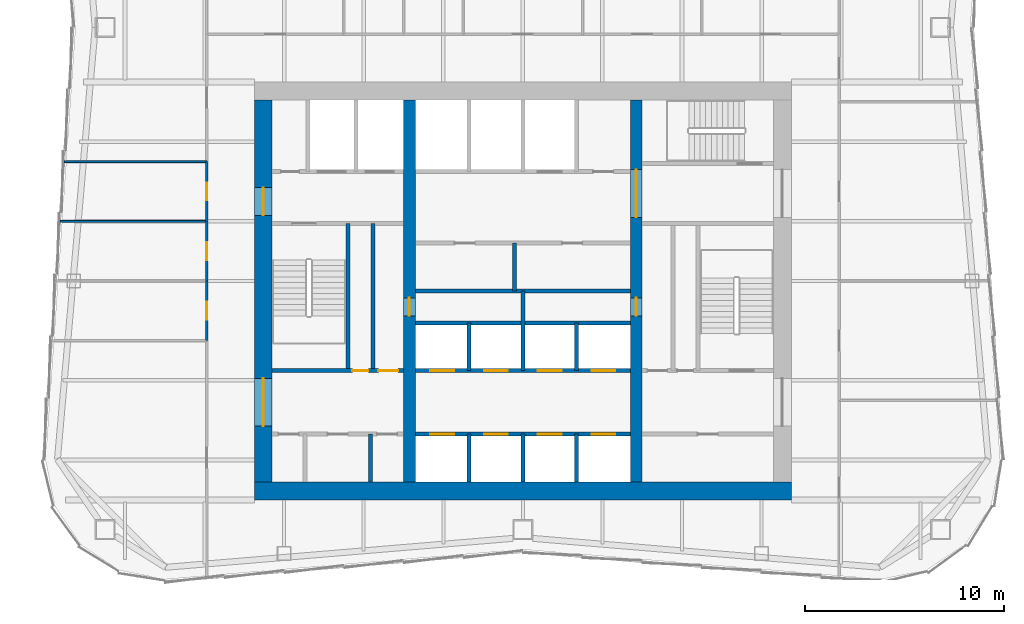
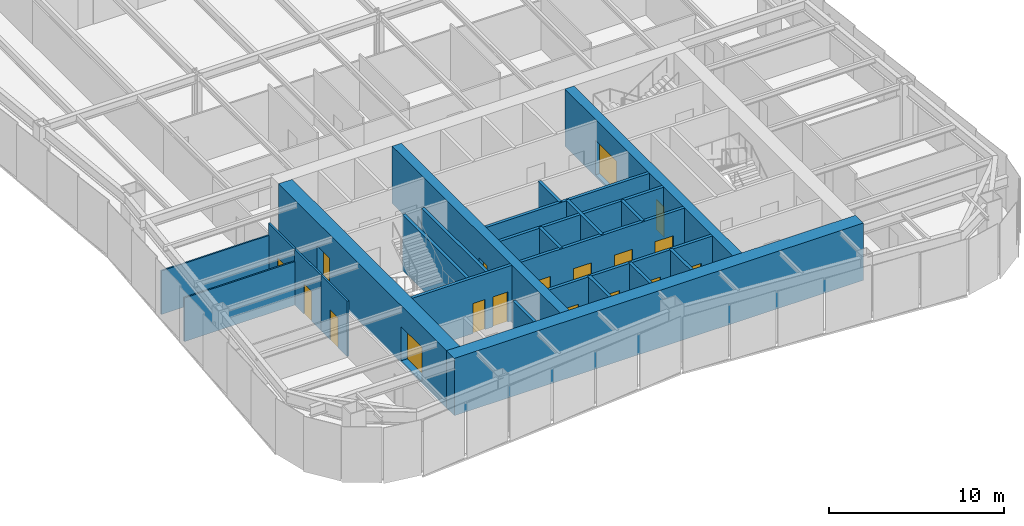
# One storey, part 5 of 10: 24 walls, 18 doors, 18 openings.
"""IFC4 building model written with IfcOpenShell, lengths in metres."""

from ifc_helpers import new_model, si_unit, direction, frame, frame_2d, origin, place, context, subcontext, project, spatial, rectangle, extrude, material, layer, layer_set, type_object, element, fill, save


model = new_model("IFC4")

# Units and contexts
model_context = context("Model", 3, precision=1e-05, world=origin(), true_north=direction((0.0, 1.0)))
body_context = subcontext(model_context, "Body", "Model", "MODEL_VIEW")
ifc_project = project(units=[si_unit("LENGTHUNIT", "METRE"), si_unit("AREAUNIT", "SQUARE_METRE"), si_unit("VOLUMEUNIT", "CUBIC_METRE"), si_unit("PLANEANGLEUNIT", "RADIAN"), si_unit("MASSUNIT", "GRAM", prefix="KILO")], contexts=[model_context])

# Site, building, storey
site_placement = place(None, origin())
site = spatial("IfcSite", under=ifc_project, at=site_placement, CompositionType="ELEMENT")
building_placement = place(site_placement, origin())
building = spatial("IfcBuilding", under=site, at=building_placement, Name="Verdant Reach Tower", CompositionType="ELEMENT")
storey_placement = place(building_placement, frame((0.0, 0.0, 202.0)))
storey = spatial("IfcBuildingStorey", under=building, at=storey_placement, Name="L46", CompositionType="ELEMENT", Elevation=202.0)

# Walls
ifc_material_1 = material(Name="Gypsum board on steel studs", Category="steel")
ifc_layer_1 = layer(ifc_material_1, 0.199951171875)
ifc_layer_set_1 = layer_set([ifc_layer_1], Name="CO-WALL-ROOM")
wall_type_1 = type_object("IfcWallType", Name="CO-WALL-ROOM", PredefinedType="PARTITIONING", material=ifc_layer_set_1)
wall_1_placement = place(storey_placement, frame((-5.39990234375, 28.0, 0.0), z_axis=(0.0, 0.0, 1.0), x_axis=(1.0, 0.0, 0.0)))
element("IfcWall", 1, at=wall_1_placement, inside=storey, type_object=wall_type_1, Name="Core partition, L46", PredefinedType="PARTITIONING", context=body_context, shape_type="SweptSolid", body=[
    extrude(rectangle(XDim=10.7998046875, YDim=0.199951171875, at=frame_2d((5.39990234375, 0.0))), origin(), (0.0, 0.0, 1.0), 3.8701171875),
])
wall_2_placement = place(storey_placement, frame((-7.64990234375, 18.39990234375, 0.0), z_axis=(0.0, 0.0, 1.0), x_axis=(0.0, 1.0, 0.0)))
element("IfcWall", 2, at=wall_2_placement, inside=storey, type_object=wall_type_1, Name="Core partition, L46", PredefinedType="PARTITIONING", context=body_context, shape_type="SweptSolid", body=[
    extrude(rectangle(XDim=2.400146484375, YDim=0.199951171875, at=frame_2d((1.2001953125, 0.0))), origin(), (0.0, 0.0, 1.0), 3.8701171875),
])
wall_3_placement = place(storey_placement, frame((-7.5400390625, 24.0, 0.0), z_axis=(0.0, 0.0, 1.0), x_axis=(0.0, 1.0, 0.0)))
element("IfcWall", 3, at=wall_3_placement, inside=storey, type_object=wall_type_1, Name="Core partition, L46", PredefinedType="PARTITIONING", context=body_context, shape_type="SweptSolid", body=[
    extrude(rectangle(XDim=7.39990234375, YDim=0.199951171875, at=frame_2d((3.699951171875, 0.0))), origin(), (0.0, 0.0, 1.0), 3.8701171875),
])
wall_4_placement = place(storey_placement, frame((-0.431884765625, 28.0, 0.0), z_axis=(0.0, 0.0, 1.0), x_axis=(0.0, 1.0, 0.0)))
element("IfcWall", 4, at=wall_4_placement, inside=storey, type_object=wall_type_1, Name="Core partition, L46", PredefinedType="PARTITIONING", context=body_context, shape_type="SweptSolid", body=[
    extrude(rectangle(XDim=2.39990234375, YDim=0.199951171875, at=frame_2d((1.199951171875, 0.0))), origin(), (0.0, 0.0, 1.0), 3.8701171875),
])

# Wall, openings, doors
ifc_material_2 = material(Name="Concrete C40/50", Category="concrete")
ifc_layer_2 = layer(ifc_material_2, 0.199951171875)
ifc_layer_set_2 = layer_set([ifc_layer_2], Name="CO-WALL-SHAFT")
wall_type_2 = type_object("IfcWallType", Name="CO-WALL-SHAFT", PredefinedType="PARTITIONING", material=ifc_layer_set_2)
wall_5_placement = place(storey_placement, frame((-5.39990234375, 20.800048828125, 0.0), z_axis=(0.0, 0.0, 1.0), x_axis=(1.0, 0.0, 0.0)))
wall_5 = element("IfcWall", 5, at=wall_5_placement, inside=storey, type_object=wall_type_2, Name="Lift shaft wall, L46", PredefinedType="PARTITIONING", context=body_context, shape_type="SweptSolid", body=[
    extrude(rectangle(XDim=10.7998046875, YDim=0.199951171875, at=frame_2d((5.39990234375, 0.0))), origin(), (0.0, 0.0, 1.0), 3.8701171875),
])
opening_1_placement = place(wall_5_placement, frame((0.75, 0.0, 0.0)))
opening_1 = element("IfcOpeningElement", 6, at=opening_1_placement, cuts=wall_5, Name="Opening LD-B1", PredefinedType="OPENING", context=body_context, shape_type="SweptSolid", body=[
    extrude(rectangle(XDim=1.199951171875, YDim=2.199951171875, at=frame_2d((0.60009765625, 1.10009765625))), frame((0.0, 0.10986328125, 0.0), z_axis=(0.0, -1.0, 0.0), x_axis=(1.0, 0.0, 0.0)), (0.0, 0.0, 1.0), 0.219970703125),
])
opening_2_placement = place(wall_5_placement, frame((3.449951171875, 0.0, 0.0)))
opening_2 = element("IfcOpeningElement", 7, at=opening_2_placement, cuts=wall_5, Name="Opening LD-B2", PredefinedType="OPENING", context=body_context, shape_type="SweptSolid", body=[
    extrude(rectangle(XDim=1.199951171875, YDim=2.199951171875, at=frame_2d((0.60009765625, 1.10009765625))), frame((0.0, 0.10986328125, 0.0), z_axis=(0.0, -1.0, 0.0), x_axis=(1.0, 0.0, 0.0)), (0.0, 0.0, 1.0), 0.219970703125),
])
opening_3_placement = place(wall_5_placement, frame((6.14990234375, 0.0, 0.0)))
opening_3 = element("IfcOpeningElement", 8, at=opening_3_placement, cuts=wall_5, Name="Opening LD-B3", PredefinedType="OPENING", context=body_context, shape_type="SweptSolid", body=[
    extrude(rectangle(XDim=1.199951171875, YDim=2.199951171875, at=frame_2d((0.60009765625, 1.10009765625))), frame((0.0, 0.10986328125, 0.0), z_axis=(0.0, -1.0, 0.0), x_axis=(1.0, 0.0, 0.0)), (0.0, 0.0, 1.0), 0.219970703125),
])
opening_4_placement = place(wall_5_placement, frame((8.85009765625, 0.0, 0.0)))
opening_4 = element("IfcOpeningElement", 9, at=opening_4_placement, cuts=wall_5, Name="Opening LD-B4", PredefinedType="OPENING", context=body_context, shape_type="SweptSolid", body=[
    extrude(rectangle(XDim=1.199951171875, YDim=2.199951171875, at=frame_2d((0.60009765625, 1.10009765625))), frame((0.0, 0.10986328125, 0.0), z_axis=(0.0, -1.0, 0.0), x_axis=(1.0, 0.0, 0.0)), (0.0, 0.0, 1.0), 0.219970703125),
])
ifc_material_3 = material(Name="Stainless steel", Category="steel")
door_type_1 = type_object("IfcDoorType", Name="CO-DOOR-LANDING", OperationType="SLIDING_TO_LEFT", PredefinedType="DOOR", material=ifc_material_3)
door_1_placement = place(opening_1_placement, origin())
door_1 = element("IfcDoor", 10, at=door_1_placement, inside=storey, type_object=door_type_1, Name="Landing door B1, L46", OperationType="SLIDING_TO_LEFT", OverallHeight=2.199951171875, OverallWidth=1.199951171875, PredefinedType="DOOR", context=body_context, shape_type="SweptSolid", body=[
    extrude(rectangle(XDim=1.199951171875, YDim=2.199951171875, at=frame_2d((0.60009765625, 1.10009765625))), frame((0.0, 0.02490234375, 0.0), z_axis=(0.0, -1.0, 0.0), x_axis=(1.0, 0.0, 0.0)), (0.0, 0.0, 1.0), 0.050048828125),
])
fill(opening_1, door_1)
door_2_placement = place(opening_2_placement, origin())
door_2 = element("IfcDoor", 11, at=door_2_placement, inside=storey, type_object=door_type_1, Name="Landing door B2, L46", OperationType="SLIDING_TO_LEFT", OverallHeight=2.199951171875, OverallWidth=1.199951171875, PredefinedType="DOOR", context=body_context, shape_type="SweptSolid", body=[
    extrude(rectangle(XDim=1.199951171875, YDim=2.199951171875, at=frame_2d((0.60009765625, 1.10009765625))), frame((0.0, 0.02490234375, 0.0), z_axis=(0.0, -1.0, 0.0), x_axis=(1.0, 0.0, 0.0)), (0.0, 0.0, 1.0), 0.050048828125),
])
fill(opening_2, door_2)
door_3_placement = place(opening_3_placement, origin())
door_3 = element("IfcDoor", 12, at=door_3_placement, inside=storey, type_object=door_type_1, Name="Landing door B3, L46", OperationType="SLIDING_TO_LEFT", OverallHeight=2.199951171875, OverallWidth=1.199951171875, PredefinedType="DOOR", context=body_context, shape_type="SweptSolid", body=[
    extrude(rectangle(XDim=1.199951171875, YDim=2.199951171875, at=frame_2d((0.60009765625, 1.10009765625))), frame((0.0, 0.02490234375, 0.0), z_axis=(0.0, -1.0, 0.0), x_axis=(1.0, 0.0, 0.0)), (0.0, 0.0, 1.0), 0.050048828125),
])
fill(opening_3, door_3)
door_4_placement = place(opening_4_placement, origin())
door_4 = element("IfcDoor", 13, at=door_4_placement, inside=storey, type_object=door_type_1, Name="Landing door B4, L46", OperationType="SLIDING_TO_LEFT", OverallHeight=2.199951171875, OverallWidth=1.199951171875, PredefinedType="DOOR", context=body_context, shape_type="SweptSolid", body=[
    extrude(rectangle(XDim=1.199951171875, YDim=2.199951171875, at=frame_2d((0.60009765625, 1.10009765625))), frame((0.0, 0.02490234375, 0.0), z_axis=(0.0, -1.0, 0.0), x_axis=(1.0, 0.0, 0.0)), (0.0, 0.0, 1.0), 0.050048828125),
])
fill(opening_4, door_4)

wall_6_placement = place(storey_placement, frame((-5.39990234375, 24.0, 0.0), z_axis=(0.0, 0.0, 1.0), x_axis=(1.0, 0.0, 0.0)))
wall_6 = element("IfcWall", 14, at=wall_6_placement, inside=storey, type_object=wall_type_2, Name="Lift shaft wall, L46", PredefinedType="PARTITIONING", context=body_context, shape_type="SweptSolid", body=[
    extrude(rectangle(XDim=10.7998046875, YDim=0.199951171875, at=frame_2d((5.39990234375, 0.0))), origin(), (0.0, 0.0, 1.0), 3.8701171875),
])
opening_5_placement = place(wall_6_placement, frame((0.75, 0.0, 0.0)))
opening_5 = element("IfcOpeningElement", 15, at=opening_5_placement, cuts=wall_6, Name="Opening LD-A5", PredefinedType="OPENING", context=body_context, shape_type="SweptSolid", body=[
    extrude(rectangle(XDim=1.199951171875, YDim=2.199951171875, at=frame_2d((0.60009765625, 1.10009765625))), frame((0.0, 0.10986328125, 0.0), z_axis=(0.0, -1.0, 0.0), x_axis=(1.0, 0.0, 0.0)), (0.0, 0.0, 1.0), 0.219970703125),
])
opening_6_placement = place(wall_6_placement, frame((3.449951171875, 0.0, 0.0)))
opening_6 = element("IfcOpeningElement", 16, at=opening_6_placement, cuts=wall_6, Name="Opening LD-A6", PredefinedType="OPENING", context=body_context, shape_type="SweptSolid", body=[
    extrude(rectangle(XDim=1.199951171875, YDim=2.199951171875, at=frame_2d((0.60009765625, 1.10009765625))), frame((0.0, 0.10986328125, 0.0), z_axis=(0.0, -1.0, 0.0), x_axis=(1.0, 0.0, 0.0)), (0.0, 0.0, 1.0), 0.219970703125),
])
opening_7_placement = place(wall_6_placement, frame((6.14990234375, 0.0, 0.0)))
opening_7 = element("IfcOpeningElement", 17, at=opening_7_placement, cuts=wall_6, Name="Opening LD-A7", PredefinedType="OPENING", context=body_context, shape_type="SweptSolid", body=[
    extrude(rectangle(XDim=1.199951171875, YDim=2.199951171875, at=frame_2d((0.60009765625, 1.10009765625))), frame((0.0, 0.10986328125, 0.0), z_axis=(0.0, -1.0, 0.0), x_axis=(1.0, 0.0, 0.0)), (0.0, 0.0, 1.0), 0.219970703125),
])
opening_8_placement = place(wall_6_placement, frame((8.85009765625, 0.0, 0.0)))
opening_8 = element("IfcOpeningElement", 18, at=opening_8_placement, cuts=wall_6, Name="Opening LD-A8", PredefinedType="OPENING", context=body_context, shape_type="SweptSolid", body=[
    extrude(rectangle(XDim=1.199951171875, YDim=2.199951171875, at=frame_2d((0.60009765625, 1.10009765625))), frame((0.0, 0.10986328125, 0.0), z_axis=(0.0, -1.0, 0.0), x_axis=(1.0, 0.0, 0.0)), (0.0, 0.0, 1.0), 0.219970703125),
])
door_5_placement = place(opening_5_placement, origin())
door_5 = element("IfcDoor", 19, at=door_5_placement, inside=storey, type_object=door_type_1, Name="Landing door A5, L46", OperationType="SLIDING_TO_LEFT", OverallHeight=2.199951171875, OverallWidth=1.199951171875, PredefinedType="DOOR", context=body_context, shape_type="SweptSolid", body=[
    extrude(rectangle(XDim=1.199951171875, YDim=2.199951171875, at=frame_2d((0.60009765625, 1.10009765625))), frame((0.0, 0.02490234375, 0.0), z_axis=(0.0, -1.0, 0.0), x_axis=(1.0, 0.0, 0.0)), (0.0, 0.0, 1.0), 0.050048828125),
])
fill(opening_5, door_5)
door_6_placement = place(opening_6_placement, origin())
door_6 = element("IfcDoor", 20, at=door_6_placement, inside=storey, type_object=door_type_1, Name="Landing door A6, L46", OperationType="SLIDING_TO_LEFT", OverallHeight=2.199951171875, OverallWidth=1.199951171875, PredefinedType="DOOR", context=body_context, shape_type="SweptSolid", body=[
    extrude(rectangle(XDim=1.199951171875, YDim=2.199951171875, at=frame_2d((0.60009765625, 1.10009765625))), frame((0.0, 0.02490234375, 0.0), z_axis=(0.0, -1.0, 0.0), x_axis=(1.0, 0.0, 0.0)), (0.0, 0.0, 1.0), 0.050048828125),
])
fill(opening_6, door_6)
door_7_placement = place(opening_7_placement, origin())
door_7 = element("IfcDoor", 21, at=door_7_placement, inside=storey, type_object=door_type_1, Name="Landing door A7, L46", OperationType="SLIDING_TO_LEFT", OverallHeight=2.199951171875, OverallWidth=1.199951171875, PredefinedType="DOOR", context=body_context, shape_type="SweptSolid", body=[
    extrude(rectangle(XDim=1.199951171875, YDim=2.199951171875, at=frame_2d((0.60009765625, 1.10009765625))), frame((0.0, 0.02490234375, 0.0), z_axis=(0.0, -1.0, 0.0), x_axis=(1.0, 0.0, 0.0)), (0.0, 0.0, 1.0), 0.050048828125),
])
fill(opening_7, door_7)
door_8_placement = place(opening_8_placement, origin())
door_8 = element("IfcDoor", 22, at=door_8_placement, inside=storey, type_object=door_type_1, Name="Landing door A8, L46", OperationType="SLIDING_TO_LEFT", OverallHeight=2.199951171875, OverallWidth=1.199951171875, PredefinedType="DOOR", context=body_context, shape_type="SweptSolid", body=[
    extrude(rectangle(XDim=1.199951171875, YDim=2.199951171875, at=frame_2d((0.60009765625, 1.10009765625))), frame((0.0, 0.02490234375, 0.0), z_axis=(0.0, -1.0, 0.0), x_axis=(1.0, 0.0, 0.0)), (0.0, 0.0, 1.0), 0.050048828125),
])
fill(opening_8, door_8)

# Walls
wall_7_placement = place(storey_placement, frame((-5.39990234375, 26.39990234375, 0.0), z_axis=(0.0, 0.0, 1.0), x_axis=(1.0, 0.0, 0.0)))
element("IfcWall", 23, at=wall_7_placement, inside=storey, type_object=wall_type_2, Name="Lift shaft wall, L46", PredefinedType="PARTITIONING", context=body_context, shape_type="SweptSolid", body=[
    extrude(rectangle(XDim=10.7998046875, YDim=0.199951171875, at=frame_2d((5.39990234375, 0.0))), origin(), (0.0, 0.0, 1.0), 3.8701171875),
])
wall_8_placement = place(storey_placement, frame((-2.699951171875, 18.39990234375, 0.0), z_axis=(0.0, 0.0, 1.0), x_axis=(0.0, 1.0, 0.0)))
element("IfcWall", 24, at=wall_8_placement, inside=storey, type_object=wall_type_2, Name="Lift shaft wall, L46", PredefinedType="PARTITIONING", context=body_context, shape_type="SweptSolid", body=[
    extrude(rectangle(XDim=2.400146484375, YDim=0.199951171875, at=frame_2d((1.2001953125, 0.0))), origin(), (0.0, 0.0, 1.0), 3.8701171875),
])
wall_9_placement = place(storey_placement, frame((-2.699951171875, 24.0, 0.0), z_axis=(0.0, 0.0, 1.0), x_axis=(0.0, 1.0, 0.0)))
element("IfcWall", 25, at=wall_9_placement, inside=storey, type_object=wall_type_2, Name="Lift shaft wall, L46", PredefinedType="PARTITIONING", context=body_context, shape_type="SweptSolid", body=[
    extrude(rectangle(XDim=2.39990234375, YDim=0.199951171875, at=frame_2d((1.199951171875, 0.0))), origin(), (0.0, 0.0, 1.0), 3.8701171875),
])
wall_10_placement = place(storey_placement, frame((0.0, 18.39990234375, 0.0), z_axis=(0.0, 0.0, 1.0), x_axis=(0.0, 1.0, 0.0)))
element("IfcWall", 26, at=wall_10_placement, inside=storey, type_object=wall_type_2, Name="Lift shaft wall, L46", PredefinedType="PARTITIONING", context=body_context, shape_type="SweptSolid", body=[
    extrude(rectangle(XDim=2.400146484375, YDim=0.199951171875, at=frame_2d((1.2001953125, 0.0))), origin(), (0.0, 0.0, 1.0), 3.8701171875),
])
wall_11_placement = place(storey_placement, frame((0.0, 24.0, 0.0), z_axis=(0.0, 0.0, 1.0), x_axis=(0.0, 1.0, 0.0)))
element("IfcWall", 27, at=wall_11_placement, inside=storey, type_object=wall_type_2, Name="Lift shaft wall, L46", PredefinedType="PARTITIONING", context=body_context, shape_type="SweptSolid", body=[
    extrude(rectangle(XDim=4.0, YDim=0.199951171875, at=frame_2d((2.0, 0.0))), origin(), (0.0, 0.0, 1.0), 3.8701171875),
])
wall_12_placement = place(storey_placement, frame((2.699951171875, 18.39990234375, 0.0), z_axis=(0.0, 0.0, 1.0), x_axis=(0.0, 1.0, 0.0)))
element("IfcWall", 28, at=wall_12_placement, inside=storey, type_object=wall_type_2, Name="Lift shaft wall, L46", PredefinedType="PARTITIONING", context=body_context, shape_type="SweptSolid", body=[
    extrude(rectangle(XDim=2.400146484375, YDim=0.199951171875, at=frame_2d((1.2001953125, 0.0))), origin(), (0.0, 0.0, 1.0), 3.8701171875),
])
wall_13_placement = place(storey_placement, frame((2.699951171875, 24.0, 0.0), z_axis=(0.0, 0.0, 1.0), x_axis=(0.0, 1.0, 0.0)))
element("IfcWall", 29, at=wall_13_placement, inside=storey, type_object=wall_type_2, Name="Lift shaft wall, L46", PredefinedType="PARTITIONING", context=body_context, shape_type="SweptSolid", body=[
    extrude(rectangle(XDim=2.39990234375, YDim=0.199951171875, at=frame_2d((1.199951171875, 0.0))), origin(), (0.0, 0.0, 1.0), 3.8701171875),
])

# Wall, openings, doors
ifc_layer_3 = layer(ifc_material_2, 0.199951171875)
ifc_layer_set_3 = layer_set([ifc_layer_3], Name="CO-WALL-STAIR")
wall_type_3 = type_object("IfcWallType", Name="CO-WALL-STAIR", PredefinedType="PARTITIONING", material=ifc_layer_set_3)
wall_14_placement = place(storey_placement, frame((-12.60009765625, 24.0, 0.0), z_axis=(0.0, 0.0, 1.0), x_axis=(1.0, 0.0, 0.0)))
wall_14 = element("IfcWall", 30, at=wall_14_placement, inside=storey, type_object=wall_type_3, Name="Stair enclosure wall, L46", PredefinedType="PARTITIONING", context=body_context, shape_type="SweptSolid", body=[
    extrude(rectangle(XDim=6.60009765625, YDim=0.199951171875, at=frame_2d((3.300048828125, 0.0))), origin(), (0.0, 0.0, 1.0), 3.8701171875),
])
opening_9_placement = place(wall_14_placement, frame((4.030029296875, 0.0, 0.0)))
opening_9 = element("IfcOpeningElement", 31, at=opening_9_placement, cuts=wall_14, Name="Opening CDN", PredefinedType="OPENING", context=body_context, shape_type="SweptSolid", body=[
    extrude(rectangle(XDim=0.800048828125, YDim=2.10009765625, at=frame_2d((0.39990234375, 1.050048828125))), frame((0.0, 0.10986328125, 0.0), z_axis=(0.0, -1.0, 0.0), x_axis=(1.0, 0.0, 0.0)), (0.0, 0.0, 1.0), 0.219970703125),
])
opening_10_placement = place(wall_14_placement, frame((5.330078125, 0.0, 0.0)))
opening_10 = element("IfcOpeningElement", 32, at=opening_10_placement, cuts=wall_14, Name="Opening CD", PredefinedType="OPENING", context=body_context, shape_type="SweptSolid", body=[
    extrude(rectangle(XDim=1.0, YDim=2.10009765625, at=frame_2d((0.5, 1.050048828125))), frame((0.0, 0.10986328125, 0.0), z_axis=(0.0, -1.0, 0.0), x_axis=(1.0, 0.0, 0.0)), (0.0, 0.0, 1.0), 0.219970703125),
])
ifc_material_4 = material(Name="Timber", Category="wood")
door_type_2 = type_object("IfcDoorType", Name="CO-DOOR-ROOM", OperationType="NOTDEFINED", PredefinedType="DOOR", material=ifc_material_4)
door_9_placement = place(opening_10_placement, origin())
door_9 = element("IfcDoor", 33, at=door_9_placement, inside=storey, type_object=door_type_2, Name="Core room door, L46", OperationType="SINGLE_SWING_LEFT", OverallHeight=2.10009765625, OverallWidth=1.0, PredefinedType="DOOR", context=body_context, shape_type="SweptSolid", body=[
    extrude(rectangle(XDim=1.0, YDim=2.10009765625, at=frame_2d((0.5, 1.050048828125))), frame((0.0, 0.02490234375, 0.0), z_axis=(0.0, -1.0, 0.0), x_axis=(1.0, 0.0, 0.0)), (0.0, 0.0, 1.0), 0.050048828125),
])
fill(opening_10, door_9)
door_type_3 = type_object("IfcDoorType", Name="CO-DOOR-ROOM-NARROW", OperationType="NOTDEFINED", PredefinedType="DOOR", material=ifc_material_4)
door_10_placement = place(opening_9_placement, origin())
door_10 = element("IfcDoor", 34, at=door_10_placement, inside=storey, type_object=door_type_3, Name="Core room door, L46", OperationType="SINGLE_SWING_RIGHT", OverallHeight=2.10009765625, OverallWidth=0.800048828125, PredefinedType="DOOR", context=body_context, shape_type="SweptSolid", body=[
    extrude(rectangle(XDim=0.800048828125, YDim=2.10009765625, at=frame_2d((0.39990234375, 1.050048828125))), frame((0.0, 0.02490234375, 0.0), z_axis=(0.0, -1.0, 0.0), x_axis=(1.0, 0.0, 0.0)), (0.0, 0.0, 1.0), 0.050048828125),
])
fill(opening_9, door_10)

# Walls
wall_15_placement = place(storey_placement, frame((-8.800048828125, 24.0, 0.0), z_axis=(0.0, 0.0, 1.0), x_axis=(0.0, 1.0, 0.0)))
element("IfcWall", 35, at=wall_15_placement, inside=storey, type_object=wall_type_3, Name="Stair enclosure wall, L46", PredefinedType="PARTITIONING", context=body_context, shape_type="SweptSolid", body=[
    extrude(rectangle(XDim=7.39990234375, YDim=0.199951171875, at=frame_2d((3.699951171875, 0.0))), origin(), (0.0, 0.0, 1.0), 3.8701171875),
])
ifc_layer_4 = layer(ifc_material_1, 0.10009765625)
ifc_layer_set_4 = layer_set([ifc_layer_4], Name="FL-W1 Partition 100")
wall_type_4 = type_object("IfcWallType", Name="FL-W1 Partition 100", PredefinedType="PARTITIONING", material=ifc_layer_set_4)
wall_16_placement = place(storey_placement, frame((-15.89990234375, 31.5, 0.0), z_axis=(0.0, 0.0, 1.0), x_axis=(-1.0, 0.0, 0.0)))
element("IfcWall", 36, at=wall_16_placement, inside=storey, type_object=wall_type_4, Name="Partition 46.42", PredefinedType="PARTITIONING", context=body_context, shape_type="SweptSolid", body=[
    extrude(rectangle(XDim=7.3525390625, YDim=0.10009765625, at=frame_2d((3.67626953125, 0.0))), origin(), (0.0, 0.0, 1.0), 3.0400390625),
])
wall_17_placement = place(storey_placement, frame((-15.89990234375, 34.5, 0.0), z_axis=(0.0, 0.0, 1.0), x_axis=(-1.0, 0.0, 0.0)))
element("IfcWall", 37, at=wall_17_placement, inside=storey, type_object=wall_type_4, Name="Partition 46.43", PredefinedType="PARTITIONING", context=body_context, shape_type="SweptSolid", body=[
    extrude(rectangle(XDim=7.1455078125, YDim=0.10009765625, at=frame_2d((3.57275390625, 0.0))), origin(), (0.0, 0.0, 1.0), 3.0400390625),
])

# Wall, opening, door
ifc_material_5 = material(Name="Gypsum board on steel studs, fire rated", Category="steel")
ifc_layer_5 = layer(ifc_material_5, 0.125)
ifc_layer_set_5 = layer_set([ifc_layer_5], Name="FL-W2 Corridor wall 125")
wall_type_5 = type_object("IfcWallType", Name="FL-W2 Corridor wall 125", PredefinedType="PARTITIONING", material=ifc_layer_set_5)
wall_18_placement = place(storey_placement, frame((-15.89990234375, 25.5, 0.0), z_axis=(0.0, 0.0, 1.0), x_axis=(0.0, 1.0, 0.0)))
wall_18 = element("IfcWall", 38, at=wall_18_placement, inside=storey, type_object=wall_type_5, Name="Partition 46.08", PredefinedType="PARTITIONING", context=body_context, shape_type="SweptSolid", body=[
    extrude(rectangle(XDim=3.0, YDim=0.125, at=frame_2d((1.5, 0.0))), origin(), (0.0, 0.0, 1.0), 3.8701171875),
])
opening_11_placement = place(wall_18_placement, frame((1.050048828125, 0.0, 0.0)))
opening_11 = element("IfcOpeningElement", 39, at=opening_11_placement, cuts=wall_18, Name="Opening D1", PredefinedType="OPENING", context=body_context, shape_type="SweptSolid", body=[
    extrude(rectangle(XDim=0.89990234375, YDim=2.10009765625, at=frame_2d((0.449951171875, 1.050048828125))), frame((0.0, 0.072509765625, 0.0), z_axis=(0.0, -1.0, 0.0), x_axis=(1.0, 0.0, 0.0)), (0.0, 0.0, 1.0), 0.14501953125),
])
ifc_material_6 = material(Name="Painted timber door leaf", Category="wood")
door_type_4 = type_object("IfcDoorType", Name="FL-D1 Door 900x2100", OperationType="NOTDEFINED", PredefinedType="DOOR", material=ifc_material_6)
door_11_placement = place(opening_11_placement, origin())
door_11 = element("IfcDoor", 40, at=door_11_placement, inside=storey, type_object=door_type_4, Name="Door 46-006", OperationType="SINGLE_SWING_RIGHT", OverallHeight=2.10009765625, OverallWidth=0.89990234375, PredefinedType="DOOR", context=body_context, shape_type="SweptSolid", body=[
    extrude(rectangle(XDim=0.89990234375, YDim=2.10009765625, at=frame_2d((0.449951171875, 1.050048828125))), frame((0.0, 0.02490234375, 0.0), z_axis=(0.0, -1.0, 0.0), x_axis=(1.0, 0.0, 0.0)), (0.0, 0.0, 1.0), 0.050048828125),
])
fill(opening_11, door_11)

wall_19_placement = place(storey_placement, frame((-15.89990234375, 28.5, 0.0), z_axis=(0.0, 0.0, 1.0), x_axis=(0.0, 1.0, 0.0)))
wall_19 = element("IfcWall", 41, at=wall_19_placement, inside=storey, type_object=wall_type_5, Name="Partition 46.09", PredefinedType="PARTITIONING", context=body_context, shape_type="SweptSolid", body=[
    extrude(rectangle(XDim=3.0, YDim=0.125, at=frame_2d((1.5, 0.0))), origin(), (0.0, 0.0, 1.0), 3.8701171875),
])
opening_12_placement = place(wall_19_placement, frame((1.050048828125, 0.0, 0.0)))
opening_12 = element("IfcOpeningElement", 42, at=opening_12_placement, cuts=wall_19, Name="Opening D1", PredefinedType="OPENING", context=body_context, shape_type="SweptSolid", body=[
    extrude(rectangle(XDim=0.89990234375, YDim=2.10009765625, at=frame_2d((0.449951171875, 1.050048828125))), frame((0.0, 0.072509765625, 0.0), z_axis=(0.0, -1.0, 0.0), x_axis=(1.0, 0.0, 0.0)), (0.0, 0.0, 1.0), 0.14501953125),
])
door_12_placement = place(opening_12_placement, origin())
door_12 = element("IfcDoor", 43, at=door_12_placement, inside=storey, type_object=door_type_4, Name="Door 46-007", OperationType="SINGLE_SWING_LEFT", OverallHeight=2.10009765625, OverallWidth=0.89990234375, PredefinedType="DOOR", context=body_context, shape_type="SweptSolid", body=[
    extrude(rectangle(XDim=0.89990234375, YDim=2.10009765625, at=frame_2d((0.449951171875, 1.050048828125))), frame((0.0, 0.02490234375, 0.0), z_axis=(0.0, -1.0, 0.0), x_axis=(1.0, 0.0, 0.0)), (0.0, 0.0, 1.0), 0.050048828125),
])
fill(opening_12, door_12)

wall_20_placement = place(storey_placement, frame((-15.89990234375, 31.5, 0.0), z_axis=(0.0, 0.0, 1.0), x_axis=(0.0, 1.0, 0.0)))
wall_20 = element("IfcWall", 44, at=wall_20_placement, inside=storey, type_object=wall_type_5, Name="Partition 46.10", PredefinedType="PARTITIONING", context=body_context, shape_type="SweptSolid", body=[
    extrude(rectangle(XDim=3.0, YDim=0.125, at=frame_2d((1.5, 0.0))), origin(), (0.0, 0.0, 1.0), 3.8701171875),
])
opening_13_placement = place(wall_20_placement, frame((1.050048828125, 0.0, 0.0)))
opening_13 = element("IfcOpeningElement", 45, at=opening_13_placement, cuts=wall_20, Name="Opening D1", PredefinedType="OPENING", context=body_context, shape_type="SweptSolid", body=[
    extrude(rectangle(XDim=0.89990234375, YDim=2.10009765625, at=frame_2d((0.449951171875, 1.050048828125))), frame((0.0, 0.072509765625, 0.0), z_axis=(0.0, -1.0, 0.0), x_axis=(1.0, 0.0, 0.0)), (0.0, 0.0, 1.0), 0.14501953125),
])
door_13_placement = place(opening_13_placement, origin())
door_13 = element("IfcDoor", 46, at=door_13_placement, inside=storey, type_object=door_type_4, Name="Door 46-008", OperationType="SINGLE_SWING_RIGHT", OverallHeight=2.10009765625, OverallWidth=0.89990234375, PredefinedType="DOOR", context=body_context, shape_type="SweptSolid", body=[
    extrude(rectangle(XDim=0.89990234375, YDim=2.10009765625, at=frame_2d((0.449951171875, 1.050048828125))), frame((0.0, 0.02490234375, 0.0), z_axis=(0.0, -1.0, 0.0), x_axis=(1.0, 0.0, 0.0)), (0.0, 0.0, 1.0), 0.050048828125),
])
fill(opening_13, door_13)

ifc_material_7 = material(Name="Concrete C70/85", Category="concrete")
ifc_layer_6 = layer(ifc_material_7, 0.60009765625)
ifc_layer_set_6 = layer_set([ifc_layer_6], Name="ST-CORE-WALL-600")
wall_type_6 = type_object("IfcWallType", Name="ST-CORE-WALL-600", PredefinedType="SHEAR", material=ifc_layer_set_6)
wall_21_placement = place(storey_placement, frame((-5.699951171875, 18.39990234375, -0.1298828125), z_axis=(0.0, 0.0, 1.0), x_axis=(0.0, 1.0, 0.0)))
wall_21 = element("IfcWall", 47, at=wall_21_placement, inside=storey, type_object=wall_type_6, Name="Core wall XW, L46", PredefinedType="SHEAR", context=body_context, shape_type="SweptSolid", body=[
    extrude(rectangle(XDim=19.2001953125, YDim=0.60009765625, at=frame_2d((9.60009765625, 0.0))), origin(), (0.0, 0.0, 1.0), 4.0),
])
opening_14_placement = place(wall_21_placement, frame((8.35009765625, 0.0, 0.1298828125)))
opening_14 = element("IfcOpeningElement", 48, at=opening_14_placement, cuts=wall_21, Name="Opening RD", PredefinedType="OPENING", context=body_context, shape_type="SweptSolid", body=[
    extrude(rectangle(XDim=0.89990234375, YDim=2.10009765625, at=frame_2d((0.449951171875, 1.050048828125))), frame((0.0, 0.31005859375, 0.0), z_axis=(0.0, -1.0, 0.0), x_axis=(1.0, 0.0, 0.0)), (0.0, 0.0, 1.0), 0.6201171875),
])
ifc_material_8 = material(Name="Steel", Category="steel")
door_type_5 = type_object("IfcDoorType", Name="CO-DOOR-RISER", OperationType="NOTDEFINED", PredefinedType="DOOR", material=ifc_material_8)
door_14_placement = place(opening_14_placement, origin())
door_14 = element("IfcDoor", 49, at=door_14_placement, inside=storey, type_object=door_type_5, Name="Riser door, L46", OperationType="SINGLE_SWING_RIGHT", OverallHeight=2.10009765625, OverallWidth=0.89990234375, PredefinedType="DOOR", context=body_context, shape_type="SweptSolid", body=[
    extrude(rectangle(XDim=0.89990234375, YDim=2.10009765625, at=frame_2d((0.449951171875, 1.050048828125))), frame((0.0, 0.02490234375, 0.0), z_axis=(0.0, -1.0, 0.0), x_axis=(1.0, 0.0, 0.0)), (0.0, 0.0, 1.0), 0.050048828125),
])
fill(opening_14, door_14)

# Wall, openings, doors
wall_22_placement = place(storey_placement, frame((5.699951171875, 18.39990234375, -0.1298828125), z_axis=(0.0, 0.0, 1.0), x_axis=(0.0, 1.0, 0.0)))
wall_22 = element("IfcWall", 50, at=wall_22_placement, inside=storey, type_object=wall_type_6, Name="Core wall XE, L46", PredefinedType="SHEAR", context=body_context, shape_type="SweptSolid", body=[
    extrude(rectangle(XDim=19.2001953125, YDim=0.60009765625, at=frame_2d((9.60009765625, 0.0))), origin(), (0.0, 0.0, 1.0), 4.0),
])
opening_15_placement = place(wall_22_placement, frame((8.35009765625, 0.0, 0.1298828125)))
opening_15 = element("IfcOpeningElement", 51, at=opening_15_placement, cuts=wall_22, Name="Opening RD", PredefinedType="OPENING", context=body_context, shape_type="SweptSolid", body=[
    extrude(rectangle(XDim=0.89990234375, YDim=2.10009765625, at=frame_2d((0.449951171875, 1.050048828125))), frame((0.0, 0.31005859375, 0.0), z_axis=(0.0, -1.0, 0.0), x_axis=(1.0, 0.0, 0.0)), (0.0, 0.0, 1.0), 0.6201171875),
])
opening_16_placement = place(wall_22_placement, frame((13.300048828125, 0.0, 0.1298828125)))
opening_16 = element("IfcOpeningElement", 52, at=opening_16_placement, cuts=wall_22, Name="Opening LB", PredefinedType="OPENING", context=body_context, shape_type="SweptSolid", body=[
    extrude(rectangle(XDim=2.39990234375, YDim=2.39990234375, at=frame_2d((1.199951171875, 1.199951171875))), frame((0.0, 0.31005859375, 0.0), z_axis=(0.0, -1.0, 0.0), x_axis=(1.0, 0.0, 0.0)), (0.0, 0.0, 1.0), 0.6201171875),
])
ifc_material_9 = material(Name="Glass and steel", Category="steel")
door_type_6 = type_object("IfcDoorType", Name="CO-DOOR-LOBBY", OperationType="DOUBLE_DOOR_SINGLE_SWING", PredefinedType="DOOR", material=ifc_material_9)
door_15_placement = place(opening_16_placement, origin())
door_15 = element("IfcDoor", 53, at=door_15_placement, inside=storey, type_object=door_type_6, Name="Core entrance door, L46", OperationType="DOUBLE_DOOR_SINGLE_SWING", OverallHeight=2.39990234375, OverallWidth=2.39990234375, PredefinedType="DOOR", context=body_context, shape_type="SweptSolid", body=[
    extrude(rectangle(XDim=2.39990234375, YDim=2.39990234375, at=frame_2d((1.199951171875, 1.199951171875))), frame((0.0, 0.02490234375, 0.0), z_axis=(0.0, -1.0, 0.0), x_axis=(1.0, 0.0, 0.0)), (0.0, 0.0, 1.0), 0.050048828125),
])
fill(opening_16, door_15)
door_16_placement = place(opening_15_placement, origin())
door_16 = element("IfcDoor", 54, at=door_16_placement, inside=storey, type_object=door_type_5, Name="Riser door, L46", OperationType="SINGLE_SWING_LEFT", OverallHeight=2.10009765625, OverallWidth=0.89990234375, PredefinedType="DOOR", context=body_context, shape_type="SweptSolid", body=[
    extrude(rectangle(XDim=0.89990234375, YDim=2.10009765625, at=frame_2d((0.449951171875, 1.050048828125))), frame((0.0, 0.02490234375, 0.0), z_axis=(0.0, -1.0, 0.0), x_axis=(1.0, 0.0, 0.0)), (0.0, 0.0, 1.0), 0.050048828125),
])
fill(opening_15, door_16)

# Wall
ifc_layer_7 = layer(ifc_material_7, 0.89990234375)
ifc_layer_set_7 = layer_set([ifc_layer_7], Name="ST-CORE-WALL-900")
wall_type_7 = type_object("IfcWallType", Name="ST-CORE-WALL-900", PredefinedType="SHEAR", material=ifc_layer_set_7)
wall_23_placement = place(storey_placement, frame((-13.5, 17.949951171875, -0.1298828125), z_axis=(0.0, 0.0, 1.0), x_axis=(1.0, 0.0, 0.0)))
element("IfcWall", 55, at=wall_23_placement, inside=storey, type_object=wall_type_7, Name="Core wall S, L46", PredefinedType="SHEAR", context=body_context, shape_type="SweptSolid", body=[
    extrude(rectangle(XDim=27.0, YDim=0.89990234375, at=frame_2d((13.5, 0.0))), origin(), (0.0, 0.0, 1.0), 4.0),
])

# Wall, openings, doors
wall_24_placement = place(storey_placement, frame((-13.050048828125, 18.39990234375, -0.1298828125), z_axis=(0.0, 0.0, 1.0), x_axis=(0.0, 1.0, 0.0)))
wall_24 = element("IfcWall", 56, at=wall_24_placement, inside=storey, type_object=wall_type_7, Name="Core wall W, L46", PredefinedType="SHEAR", context=body_context, shape_type="SweptSolid", body=[
    extrude(rectangle(XDim=19.2001953125, YDim=0.89990234375, at=frame_2d((9.60009765625, 0.0))), origin(), (0.0, 0.0, 1.0), 4.0),
])
opening_17_placement = place(wall_24_placement, frame((2.800048828125, 0.0, 0.1298828125)))
opening_17 = element("IfcOpeningElement", 57, at=opening_17_placement, cuts=wall_24, Name="Opening LB", PredefinedType="OPENING", context=body_context, shape_type="SweptSolid", body=[
    extrude(rectangle(XDim=2.39990234375, YDim=2.39990234375, at=frame_2d((1.199951171875, 1.199951171875))), frame((0.0, 0.4599609375, 0.0), z_axis=(0.0, -1.0, 0.0), x_axis=(1.0, 0.0, 0.0)), (0.0, 0.0, 1.0), 0.919921875),
])
opening_18_placement = place(wall_24_placement, frame((13.39990234375, 0.0, 0.1298828125)))
opening_18 = element("IfcOpeningElement", 58, at=opening_18_placement, cuts=wall_24, Name="Opening FL", PredefinedType="OPENING", context=body_context, shape_type="SweptSolid", body=[
    extrude(rectangle(XDim=1.39990234375, YDim=2.199951171875, at=frame_2d((0.699951171875, 1.10009765625))), frame((0.0, 0.4599609375, 0.0), z_axis=(0.0, -1.0, 0.0), x_axis=(1.0, 0.0, 0.0)), (0.0, 0.0, 1.0), 0.919921875),
])
door_type_7 = type_object("IfcDoorType", Name="CO-DOOR-FFL", OperationType="NOTDEFINED", PredefinedType="DOOR", material=ifc_material_8)
door_17_placement = place(opening_18_placement, origin())
door_17 = element("IfcDoor", 59, at=door_17_placement, inside=storey, type_object=door_type_7, Name="Core entrance door, L46", OperationType="SINGLE_SWING_LEFT", OverallHeight=2.199951171875, OverallWidth=1.39990234375, PredefinedType="DOOR", context=body_context, shape_type="SweptSolid", body=[
    extrude(rectangle(XDim=1.39990234375, YDim=2.199951171875, at=frame_2d((0.699951171875, 1.10009765625))), frame((0.0, 0.02490234375, 0.0), z_axis=(0.0, -1.0, 0.0), x_axis=(1.0, 0.0, 0.0)), (0.0, 0.0, 1.0), 0.050048828125),
])
fill(opening_18, door_17)
door_18_placement = place(opening_17_placement, origin())
door_18 = element("IfcDoor", 60, at=door_18_placement, inside=storey, type_object=door_type_6, Name="Core entrance door, L46", OperationType="DOUBLE_DOOR_SINGLE_SWING", OverallHeight=2.39990234375, OverallWidth=2.39990234375, PredefinedType="DOOR", context=body_context, shape_type="SweptSolid", body=[
    extrude(rectangle(XDim=2.39990234375, YDim=2.39990234375, at=frame_2d((1.199951171875, 1.199951171875))), frame((0.0, 0.02490234375, 0.0), z_axis=(0.0, -1.0, 0.0), x_axis=(1.0, 0.0, 0.0)), (0.0, 0.0, 1.0), 0.050048828125),
])
fill(opening_17, door_18)

save(model, "model.ifc")
